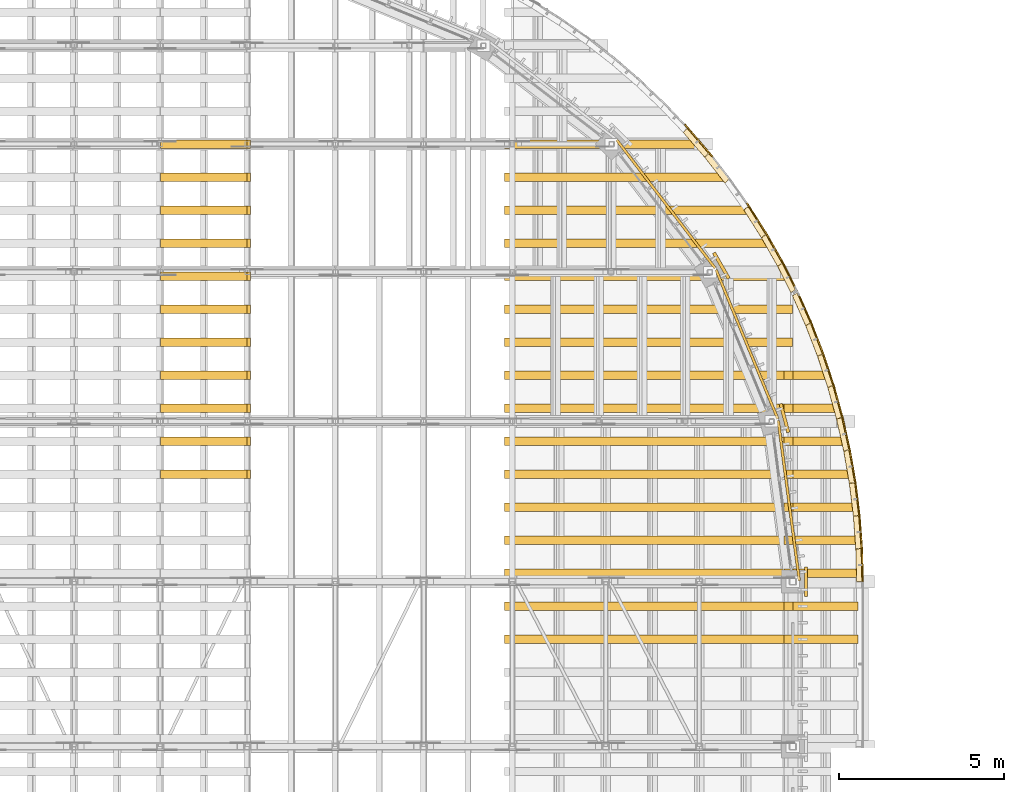
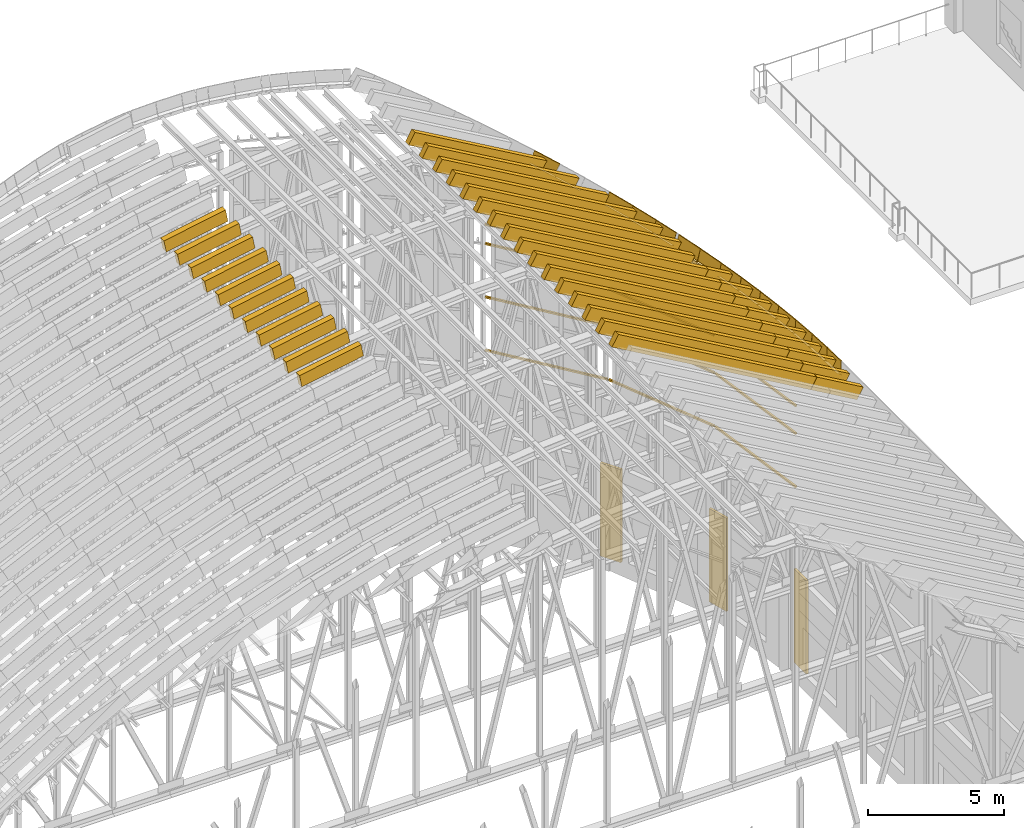
# One storey, part 91 of 105: 76 coverings.
"""IFC4 building model written with IfcOpenShell, lengths in metres."""

from ifc_helpers import new_model, si_unit, direction, frame, origin, origin_2d, place, context, subcontext, project, spatial, polyline, rectangle, outline, extrude, material, layer, layer_set, material_profile, profile_set, type_object, element, save


model = new_model("IFC4")

# Units and contexts
model_context = context("Model", 3, precision=1e-05, world=origin(), true_north=direction((0.0, 1.0)))
body_context = subcontext(model_context, "Body", "Model", "MODEL_VIEW")
ifc_project = project(units=[si_unit("LENGTHUNIT", "METRE"), si_unit("AREAUNIT", "SQUARE_METRE"), si_unit("VOLUMEUNIT", "CUBIC_METRE"), si_unit("PLANEANGLEUNIT", "RADIAN"), si_unit("MASSUNIT", "GRAM", prefix="KILO")], contexts=[model_context])

# Site, building, storey
site_placement = place(None, origin())
site = spatial("IfcSite", under=ifc_project, at=site_placement, CompositionType="ELEMENT")
building_placement = place(site_placement, origin())
building = spatial("IfcBuilding", under=site, at=building_placement, Name="Wasatch Bagh Community Centre", CompositionType="ELEMENT")
storey_placement = place(building_placement, frame((0.0, 0.0, 16.800048828125)))
storey = spatial("IfcBuildingStorey", under=building, at=storey_placement, Name="L04", CompositionType="ELEMENT", Elevation=16.800048828125)

# Coverings
ifc_material_1 = material(Name="White precast concrete C40/50", Category="concrete")
ifc_layer = layer(ifc_material_1, 0.10009765625)
ifc_layer_set = layer_set([ifc_layer], Name="White precast concrete C40/50")
covering_type_1 = type_object("IfcCoveringType", Name="MH column casing", PredefinedType="CLADDING", material=ifc_layer_set)
for number, where, z_axis, x_axis, name in (
    (1, (55.14990234375, 65.0, 0.0), (0.0, 0.0, 1.0), (0.0, 1.0, 0.0), "Column casing E7 L04"),
    (2, (54.49755859375, 69.956298828125, 0.0), (0.0, 0.0, 1.0), (-0.258819045103, 0.965925826289, 0.0), "Column casing N1 L04"),
    (3, (52.58447265625, 74.574951171875, 0.0), (0.0, 0.0, 1.0), (-0.5, 0.866025403784, 0.0), "Column casing N2 L04"),
):
    element("IfcCovering", number, at=place(storey_placement, frame(where, z_axis=z_axis, x_axis=x_axis)), inside=storey, type_object=covering_type_1, Name=name, PredefinedType="CLADDING", context=body_context, shape_type="SweptSolid", body=[
        extrude(rectangle(XDim=0.89990234375, YDim=0.10009765625, at=origin_2d()), origin(), (0.0, 0.0, 1.0), 4.199951171875),
    ])
ifc_material_2 = material(Name="ASTM A653 Grade 50 steel, zinc-aluminium coated", Category="steel")
ifc_material_profile_1 = material_profile(ifc_material_2, outline(polyline([(-0.080078125, 0.0029296875), (0.152099609375, 0.0029296875), (0.152099609375, -0.031982421875), (0.14892578125, -0.031982421875), (0.14892578125, 0.0), (-0.080078125, 0.0), (-0.080078125, 0.0029296875)])), Name="DRIP EDGE")
ifc_profile_set_1 = profile_set([ifc_material_profile_1], Name="ASTM A653 Grade 50 steel, zinc-aluminium coated")
covering_type_2 = type_object("IfcCoveringType", Name="MH drip edge", PredefinedType="CLADDING", material=ifc_profile_set_1)
covering_1_placement = place(storey_placement, frame((51.480712890625, 78.663330078125, 15.699462890625), z_axis=(0.611351247822, -0.708365524238, -0.352800135852), x_axis=(0.613418152738, 0.705845774567, -0.354259668065)))
element("IfcCovering", 4, at=covering_1_placement, inside=storey, type_object=covering_type_2, Name="Drip edge 145", PredefinedType="CLADDING", context=body_context, shape_type="SweptSolid", body=[
    extrude(outline(polyline([(-0.080078125, 0.0029296875), (0.152099609375, 0.0029296875), (0.152099609375, -0.031982421875), (0.14892578125, -0.031982421875), (0.14892578125, 0.0), (-0.080078125, 0.0), (-0.080078125, 0.0029296875)])), origin(), (0.0, 0.0, 1.0), 1.0595703125),
])
covering_2_placement = place(storey_placement, frame((52.133056640625, 77.906982421875, 15.322998046875), z_axis=(0.579743599682, -0.742898023451, -0.334663839368), x_axis=(0.643371320718, 0.669404605522, -0.3714442324)))
element("IfcCovering", 5, at=covering_2_placement, inside=storey, type_object=covering_type_2, Name="Drip edge 146", PredefinedType="CLADDING", context=body_context, shape_type="SweptSolid", body=[
    extrude(outline(polyline([(-0.080078125, 0.0029296875), (0.152099609375, 0.0029296875), (0.152099609375, -0.031982421875), (0.14892578125, -0.031982421875), (0.14892578125, 0.0), (-0.080078125, 0.0), (-0.080078125, 0.0029296875)])), origin(), (0.0, 0.0, 1.0), 1.052001953125),
])
covering_3_placement = place(storey_placement, frame((53.322509765625, 76.302734375, 14.63623046875), z_axis=(0.511164958761, -0.807226431192, -0.2951201005), x_axis=(0.699079319041, 0.590241890062, -0.403611963283)))
element("IfcCovering", 6, at=covering_3_placement, inside=storey, type_object=covering_type_2, Name="Drip edge 148", PredefinedType="CLADDING", context=body_context, shape_type="SweptSolid", body=[
    extrude(outline(polyline([(-0.080078125, 0.0029296875), (0.152099609375, 0.0029296875), (0.152099609375, -0.031982421875), (0.14892578125, -0.031982421875), (0.14892578125, 0.0), (-0.080078125, 0.0), (-0.080078125, 0.0029296875)])), origin(), (0.0, 0.0, 1.0), 1.037353515625),
])
covering_4_placement = place(storey_placement, frame((53.856689453125, 75.458740234375, 14.327880859375), z_axis=(0.474014729858, -0.836928556016, -0.273606703141), x_axis=(0.724813701103, 0.547312151294, -0.418442956374)))
element("IfcCovering", 7, at=covering_4_placement, inside=storey, type_object=covering_type_2, Name="Drip edge 149", PredefinedType="CLADDING", context=body_context, shape_type="SweptSolid", body=[
    extrude(outline(polyline([(-0.080078125, 0.0029296875), (0.152099609375, 0.0029296875), (0.152099609375, -0.031982421875), (0.14892578125, -0.031982421875), (0.14892578125, 0.0), (-0.080078125, 0.0), (-0.080078125, 0.0029296875)])), origin(), (0.0, 0.0, 1.0), 1.030517578125),
])
covering_5_placement = place(storey_placement, frame((54.348876953125, 74.58935546875, 14.043701171875), z_axis=(0.435192259549, -0.864532300448, -0.251379391976), x_axis=(0.748704241973, 0.50257725153, -0.432270822861)))
element("IfcCovering", 8, at=covering_5_placement, inside=storey, type_object=covering_type_2, Name="Drip edge 150", PredefinedType="CLADDING", context=body_context, shape_type="SweptSolid", body=[
    extrude(outline(polyline([(-0.080078125, 0.0029296875), (0.152099609375, 0.0029296875), (0.152099609375, -0.031982421875), (0.14892578125, -0.031982421875), (0.14892578125, 0.0), (-0.080078125, 0.0), (-0.080078125, 0.0029296875)])), origin(), (0.0, 0.0, 1.0), 0.917724609375),
])
covering_6_placement = place(storey_placement, frame((54.7978515625, 73.697265625, 13.784423828125), z_axis=(0.394606440293, -0.890203343422, -0.227648335464), x_axis=(0.770938033808, 0.455563374735, -0.445102864098)))
element("IfcCovering", 9, at=covering_6_placement, inside=storey, type_object=covering_type_2, Name="Drip edge 152", PredefinedType="CLADDING", context=body_context, shape_type="SweptSolid", body=[
    extrude(outline(polyline([(-0.080078125, 0.0029296875), (0.152099609375, 0.0029296875), (0.152099609375, -0.031982421875), (0.14892578125, -0.031982421875), (0.14892578125, 0.0), (-0.080078125, 0.0), (-0.080078125, 0.0029296875)])), origin(), (0.0, 0.0, 1.0), 1.017822265625),
])
covering_7_placement = place(storey_placement, frame((55.202392578125, 72.783935546875, 13.551025390625), z_axis=(0.352399016954, -0.913439477895, -0.203576160376), x_axis=(0.791057287422, 0.40697458411, -0.456727551068)))
element("IfcCovering", 10, at=covering_7_placement, inside=storey, type_object=covering_type_2, Name="Drip edge 153", PredefinedType="CLADDING", context=body_context, shape_type="SweptSolid", body=[
    extrude(outline(polyline([(-0.080078125, 0.0029296875), (0.152099609375, 0.0029296875), (0.152099609375, -0.031982421875), (0.14892578125, -0.031982421875), (0.14892578125, 0.0), (-0.080078125, 0.0), (-0.080078125, 0.0029296875)])), origin(), (0.0, 0.0, 1.0), 1.01220703125),
])
covering_8_placement = place(storey_placement, frame((55.561767578125, 71.85205078125, 13.343505859375), z_axis=(0.308620162801, -0.934345724615, -0.178189960455), x_axis=(0.809171085906, 0.356367881279, -0.467166016451)))
element("IfcCovering", 11, at=covering_8_placement, inside=storey, type_object=covering_type_2, Name="Drip edge 154", PredefinedType="CLADDING", context=body_context, shape_type="SweptSolid", body=[
    extrude(outline(polyline([(-0.080078125, 0.0029296875), (0.152099609375, 0.0029296875), (0.152099609375, -0.031982421875), (0.14892578125, -0.031982421875), (0.14892578125, 0.0), (-0.080078125, 0.0), (-0.080078125, 0.0029296875)])), origin(), (0.0, 0.0, 1.0), 1.007080078125),
])
covering_9_placement = place(storey_placement, frame((55.874755859375, 70.903564453125, 13.16259765625), z_axis=(0.263697621566, -0.952525480672, -0.152180067848), x_axis=(0.824903968921, 0.304458872788, -0.476275379207)))
element("IfcCovering", 12, at=covering_9_placement, inside=storey, type_object=covering_type_2, Name="Drip edge 155", PredefinedType="CLADDING", context=body_context, shape_type="SweptSolid", body=[
    extrude(outline(polyline([(-0.080078125, 0.0029296875), (0.152099609375, 0.0029296875), (0.152099609375, -0.031982421875), (0.14892578125, -0.031982421875), (0.14892578125, 0.0), (-0.080078125, 0.0), (-0.080078125, 0.0029296875)])), origin(), (0.0, 0.0, 1.0), 1.002685546875),
])
covering_10_placement = place(storey_placement, frame((56.14111328125, 69.940673828125, 13.009033203125), z_axis=(0.21730734679, -0.967983232047, -0.125642267998), x_axis=(0.838301819857, 0.251014818657, -0.483985144028)))
element("IfcCovering", 13, at=covering_10_placement, inside=storey, type_object=covering_type_2, Name="Drip edge 156", PredefinedType="CLADDING", context=body_context, shape_type="SweptSolid", body=[
    extrude(outline(polyline([(-0.080078125, 0.0029296875), (0.152099609375, 0.0029296875), (0.152099609375, -0.031982421875), (0.14892578125, -0.031982421875), (0.14892578125, 0.0), (-0.080078125, 0.0), (-0.080078125, 0.0029296875)])), origin(), (0.0, 0.0, 1.0), 0.998779296875),
])
covering_11_placement = place(storey_placement, frame((56.359619140625, 68.966064453125, 12.8828125), z_axis=(0.17020010461, -0.980489939813, -0.09834328811), x_axis=(0.849125844548, 0.196569259266, -0.490250779124)))
element("IfcCovering", 14, at=covering_11_placement, inside=storey, type_object=covering_type_2, Name="Drip edge 157", PredefinedType="CLADDING", context=body_context, shape_type="SweptSolid", body=[
    extrude(outline(polyline([(-0.080078125, 0.0029296875), (0.152099609375, 0.0029296875), (0.152099609375, -0.031982421875), (0.14892578125, -0.031982421875), (0.14892578125, 0.0), (-0.080078125, 0.0), (-0.080078125, 0.0029296875)])), origin(), (0.0, 0.0, 1.0), 0.99560546875),
])
covering_12_placement = place(storey_placement, frame((56.5302734375, 67.98193359375, 12.7841796875), z_axis=(0.122154734654, -0.990018654301, -0.070294273865), x_axis=(0.857379658969, 0.140936242514, -0.495012217963)))
element("IfcCovering", 15, at=covering_12_placement, inside=storey, type_object=covering_type_2, Name="Drip edge 158", PredefinedType="CLADDING", context=body_context, shape_type="SweptSolid", body=[
    extrude(outline(polyline([(-0.080078125, 0.0029296875), (0.152099609375, 0.0029296875), (0.152099609375, -0.031982421875), (0.14892578125, -0.031982421875), (0.14892578125, 0.0), (-0.080078125, 0.0), (-0.080078125, 0.0029296875)])), origin(), (0.0, 0.0, 1.0), 0.993408203125),
])
covering_13_placement = place(storey_placement, frame((56.65234375, 66.99072265625, 12.7138671875), z_axis=(0.073351333397, -0.996396636215, -0.042583156637), x_axis=(0.862907939356, 0.084815696918, -0.498192920216)))
element("IfcCovering", 16, at=covering_13_placement, inside=storey, type_object=covering_type_2, Name="Drip edge 159", PredefinedType="CLADDING", context=body_context, shape_type="SweptSolid", body=[
    extrude(outline(polyline([(-0.080078125, 0.0029296875), (0.152099609375, 0.0029296875), (0.152099609375, -0.031982421875), (0.14892578125, -0.031982421875), (0.14892578125, 0.0), (-0.080078125, 0.0), (-0.080078125, 0.0029296875)])), origin(), (0.0, 0.0, 1.0), 0.991943359375),
])
covering_14_placement = place(storey_placement, frame((56.7255859375, 65.99462890625, 12.67138671875), z_axis=(0.024632773831, -0.999597962047, -0.014040681083), x_axis=(0.865676575734, 0.028352948585, -0.499800136587)))
element("IfcCovering", 17, at=covering_14_placement, inside=storey, type_object=covering_type_2, Name="Drip edge 160", PredefinedType="CLADDING", context=body_context, shape_type="SweptSolid", body=[
    extrude(outline(polyline([(-0.080078125, 0.0029296875), (0.152099609375, 0.0029296875), (0.152099609375, -0.031982421875), (0.14892578125, -0.031982421875), (0.14892578125, 0.0), (-0.080078125, 0.0), (-0.080078125, 0.0029296875)])), origin(), (0.0, 0.0, 1.0), 0.9912109375),
])
ifc_material_profile_2 = material_profile(ifc_material_2, rectangle(XDim=0.0400390625, YDim=0.85009765625, at=origin_2d()), Name="FASCIA 40x850")
ifc_profile_set_2 = profile_set([ifc_material_profile_2], Name="ASTM A653 Grade 50 steel, zinc-aluminium coated")
covering_type_3 = type_object("IfcCoveringType", Name="MH eave fascia 40x850", PredefinedType="CLADDING", material=ifc_profile_set_2)
covering_15_placement = place(storey_placement, frame((51.57177734375, 78.74169921875, 15.851806640625), z_axis=(0.611206905787, -0.708465319905, -0.352849838899), x_axis=(0.757166284111, 0.653222181348, 0.0)))
element("IfcCovering", 18, at=covering_15_placement, inside=storey, type_object=covering_type_3, Name="Eave fascia 145", PredefinedType="CLADDING", context=body_context, shape_type="SweptSolid", body=[
    extrude(rectangle(XDim=0.0400390625, YDim=0.85009765625, at=origin_2d()), origin(), (0.0, 0.0, 1.0), 1.059326171875),
])
covering_16_placement = place(storey_placement, frame((53.423828125, 76.366943359375, 14.7802734375), z_axis=(0.511164958761, -0.807226431192, -0.2951201005), x_axis=(0.844856186618, 0.534993480272, 0.0)))
element("IfcCovering", 19, at=covering_16_placement, inside=storey, type_object=covering_type_3, Name="Eave fascia 148", PredefinedType="CLADDING", context=body_context, shape_type="SweptSolid", body=[
    extrude(rectangle(XDim=0.0400390625, YDim=0.85009765625, at=origin_2d()), origin(), (0.0, 0.0, 1.0), 1.037353515625),
])
covering_17_placement = place(storey_placement, frame((53.961181640625, 75.517822265625, 14.468994140625), z_axis=(0.474108722242, -0.836857574691, -0.273660956616), x_axis=(0.870071490855, 0.492925553001, 0.0)))
element("IfcCovering", 20, at=covering_17_placement, inside=storey, type_object=covering_type_3, Name="Eave fascia 149", PredefinedType="CLADDING", context=body_context, shape_type="SweptSolid", body=[
    extrude(rectangle(XDim=0.0400390625, YDim=0.85009765625, at=origin_2d()), origin(), (0.0, 0.0, 1.0), 1.030517578125),
])
covering_18_placement = place(storey_placement, frame((54.4560546875, 74.643310546875, 14.182373046875), z_axis=(0.435192259549, -0.864532300448, -0.251379391976), x_axis=(0.893214645875, 0.44963051097, 0.0)))
element("IfcCovering", 21, at=covering_18_placement, inside=storey, type_object=covering_type_3, Name="Eave fascia 150", PredefinedType="CLADDING", context=body_context, shape_type="SweptSolid", body=[
    extrude(rectangle(XDim=0.0400390625, YDim=0.85009765625, at=origin_2d()), origin(), (0.0, 0.0, 1.0), 0.917724609375),
])
covering_19_placement = place(storey_placement, frame((54.907470703125, 73.745849609375, 13.920654296875), z_axis=(0.394584881717, -0.890154708846, -0.227875767557), x_axis=(0.914207306635, 0.405246838969, 0.0)))
element("IfcCovering", 22, at=covering_19_placement, inside=storey, type_object=covering_type_3, Name="Eave fascia 152", PredefinedType="CLADDING", context=body_context, shape_type="SweptSolid", body=[
    extrude(rectangle(XDim=0.0400390625, YDim=0.85009765625, at=origin_2d()), origin(), (0.0, 0.0, 1.0), 1.017822265625),
])
covering_20_placement = place(storey_placement, frame((55.314208984375, 72.8271484375, 13.684814453125), z_axis=(0.352416311959, -0.913484307589, -0.203344935648), x_axis=(0.932976840398, 0.359936404495, 0.0)))
element("IfcCovering", 23, at=covering_20_placement, inside=storey, type_object=covering_type_3, Name="Eave fascia 153", PredefinedType="CLADDING", context=body_context, shape_type="SweptSolid", body=[
    extrude(rectangle(XDim=0.0400390625, YDim=0.85009765625, at=origin_2d()), origin(), (0.0, 0.0, 1.0), 1.01220703125),
])
covering_21_placement = place(storey_placement, frame((55.675537109375, 71.8896484375, 13.475341796875), z_axis=(0.308620162801, -0.934345724615, -0.178189960455), x_axis=(0.949542094991, 0.31363961778, 0.0)))
element("IfcCovering", 24, at=covering_21_placement, inside=storey, type_object=covering_type_3, Name="Eave fascia 154", PredefinedType="CLADDING", context=body_context, shape_type="SweptSolid", body=[
    extrude(rectangle(XDim=0.0400390625, YDim=0.85009765625, at=origin_2d()), origin(), (0.0, 0.0, 1.0), 1.007080078125),
])
covering_22_placement = place(storey_placement, frame((55.990478515625, 70.935546875, 13.292724609375), z_axis=(0.263471042938, -0.952586617349, -0.152189835338), x_axis=(0.963813813946, 0.266576315616, 0.0)))
element("IfcCovering", 25, at=covering_22_placement, inside=storey, type_object=covering_type_3, Name="Eave fascia 155", PredefinedType="CLADDING", context=body_context, shape_type="SweptSolid", body=[
    extrude(rectangle(XDim=0.0400390625, YDim=0.85009765625, at=origin_2d()), origin(), (0.0, 0.0, 1.0), 1.002685546875),
])
covering_23_placement = place(storey_placement, frame((56.258056640625, 69.967041015625, 13.137451171875), z_axis=(0.21730734679, -0.967983232047, -0.125642267998), x_axis=(0.975715177411, 0.219043129474, 0.0)))
element("IfcCovering", 26, at=covering_23_placement, inside=storey, type_object=covering_type_3, Name="Eave fascia 156", PredefinedType="CLADDING", context=body_context, shape_type="SweptSolid", body=[
    extrude(rectangle(XDim=0.0400390625, YDim=0.85009765625, at=origin_2d()), origin(), (0.0, 0.0, 1.0), 0.998779296875),
])
covering_24_placement = place(storey_placement, frame((56.477783203125, 68.986572265625, 13.009765625), z_axis=(0.170204204562, -0.980513558843, -0.098100406087), x_axis=(0.98526596737, 0.171029159919, 0.0)))
element("IfcCovering", 27, at=covering_24_placement, inside=storey, type_object=covering_type_3, Name="Eave fascia 157", PredefinedType="CLADDING", context=body_context, shape_type="SweptSolid", body=[
    extrude(rectangle(XDim=0.0400390625, YDim=0.85009765625, at=origin_2d()), origin(), (0.0, 0.0, 1.0), 0.995361328125),
])
covering_25_placement = place(storey_placement, frame((56.6494140625, 67.99658203125, 12.910400390625), z_axis=(0.121910497055, -0.990031213986, -0.070540952933), x_axis=(0.992503655573, 0.122214948651, 0.0)))
element("IfcCovering", 28, at=covering_25_placement, inside=storey, type_object=covering_type_3, Name="Eave fascia 158", PredefinedType="CLADDING", context=body_context, shape_type="SweptSolid", body=[
    extrude(rectangle(XDim=0.0400390625, YDim=0.85009765625, at=origin_2d()), origin(), (0.0, 0.0, 1.0), 0.993408203125),
])
covering_26_placement = place(storey_placement, frame((56.77197265625, 66.99951171875, 12.839111328125), z_axis=(0.073596916972, -0.996389029777, -0.042336688024), x_axis=(0.997283193411, 0.07366296315, 0.0)))
element("IfcCovering", 29, at=covering_26_placement, inside=storey, type_object=covering_type_3, Name="Eave fascia 159", PredefinedType="CLADDING", context=body_context, shape_type="SweptSolid", body=[
    extrude(rectangle(XDim=0.0400390625, YDim=0.85009765625, at=origin_2d()), origin(), (0.0, 0.0, 1.0), 0.991943359375),
])
covering_27_placement = place(storey_placement, frame((56.845458984375, 65.99755859375, 12.796630859375), z_axis=(0.024632687889, -0.99959447452, -0.014286958975), x_axis=(0.999696507351, 0.024635202251, 0.0)))
element("IfcCovering", 30, at=covering_27_placement, inside=storey, type_object=covering_type_3, Name="Eave fascia 160", PredefinedType="CLADDING", context=body_context, shape_type="SweptSolid", body=[
    extrude(rectangle(XDim=0.0400390625, YDim=0.85009765625, at=origin_2d()), origin(), (0.0, 0.0, 1.0), 0.9912109375),
])
ifc_material_3 = material(Name="Aluminium extrusion", Category="aluminium")
ifc_material_profile_3 = material_profile(ifc_material_3, rectangle(XDim=0.080078125, YDim=0.080078125, at=origin_2d()), Name="AL 80x80")
ifc_profile_set_3 = profile_set([ifc_material_profile_3], Name="Aluminium extrusion")
covering_type_4 = type_object("IfcCoveringType", Name="MH fin rail 80x80", PredefinedType="CLADDING", material=ifc_profile_set_3)
for number, where, z_axis, x_axis, name in (
    (31, (54.9482421875, 65.026123046875, 8.199951171875), (-0.130533218363, 0.991443936339, 0.0), (-0.991443936339, -0.130533218363, 0.0), "Fin rail 19.1"),
    (32, (54.9482421875, 65.026123046875, 10.599853515625), (-0.130533218363, 0.991443936339, 0.0), (-0.991443936339, -0.130533218363, 0.0), "Fin rail 19.2"),
    (33, (54.9482421875, 65.026123046875, 11.849853515625), (-0.130533218363, 0.991443936339, 0.0), (-0.991443936339, -0.130533218363, 0.0), "Fin rail 19.3"),
):
    element("IfcCovering", number, at=place(storey_placement, frame(where, z_axis=z_axis, x_axis=x_axis)), inside=storey, type_object=covering_type_4, Name=name, PredefinedType="CLADDING", context=body_context, shape_type="SweptSolid", body=[
        extrude(rectangle(XDim=0.080078125, YDim=0.080078125, at=origin_2d()), origin(), (0.0, 0.0, 1.0), 4.894775390625),
    ])
for number, where, z_axis, x_axis, name in (
    (34, (54.2958984375, 69.929443359375, 8.199951171875), (-0.382680724471, 0.923880654153, 0.0), (-0.923880654153, -0.382680724471, 0.0), "Fin rail 20.1"),
    (35, (54.2958984375, 69.929443359375, 10.599853515625), (-0.382680724471, 0.923880654153, 0.0), (-0.923880654153, -0.382680724471, 0.0), "Fin rail 20.2"),
    (36, (54.2958984375, 69.929443359375, 12.2900390625), (-0.382680724471, 0.923880654153, 0.0), (-0.923880654153, -0.382680724471, 0.0), "Fin rail 20.3"),
    (37, (52.396728515625, 74.496826171875, 8.199951171875), (-0.60878228298, 0.793337338041, 0.0), (-0.793337338041, -0.60878228298, 0.0), "Fin rail 21.1"),
    (38, (52.396728515625, 74.496826171875, 10.599853515625), (-0.60878228298, 0.793337338041, 0.0), (-0.793337338041, -0.60878228298, 0.0), "Fin rail 21.2"),
    (39, (52.396728515625, 74.496826171875, 13.0), (-0.60878228298, 0.793337338041, 0.0), (-0.793337338041, -0.60878228298, 0.0), "Fin rail 21.3"),
    (40, (52.396728515625, 74.496826171875, 13.869873046875), (-0.60878228298, 0.793337338041, 0.0), (-0.793337338041, -0.60878228298, 0.0), "Fin rail 21.4"),
):
    element("IfcCovering", number, at=place(storey_placement, frame(where, z_axis=z_axis, x_axis=x_axis)), inside=storey, type_object=covering_type_4, Name=name, PredefinedType="CLADDING", context=body_context, shape_type="SweptSolid", body=[
        extrude(rectangle(XDim=0.080078125, YDim=0.080078125, at=origin_2d()), origin(), (0.0, 0.0, 1.0), 4.89453125),
    ])
covering_type_5 = type_object("IfcCoveringType", Name="MH roll-over fin rib", PredefinedType="ROOFING", material=ifc_material_2)
for number, where, z_axis, x_axis, name in (
    (41, (35.59326171875, 68.125, 18.103515625), (-0.179779044662, 0.0, 0.983707016901), (0.983707016901, 0.0, 0.179779044662), "Seam rib 9.54"),
    (42, (35.59326171875, 69.125, 18.103515625), (-0.179779044662, 0.0, 0.983707016901), (0.983707016901, 0.0, 0.179779044662), "Seam rib 9.55"),
    (43, (35.59326171875, 70.125, 18.103515625), (-0.179779044662, 0.0, 0.983707016901), (0.983707016901, 0.0, 0.179779044662), "Seam rib 9.56"),
    (44, (35.59326171875, 71.125, 18.103515625), (-0.179779044662, 0.0, 0.983707016901), (0.983707016901, 0.0, 0.179779044662), "Seam rib 9.57"),
    (45, (35.59326171875, 72.125, 18.103515625), (-0.179779044662, 0.0, 0.983707016901), (0.983707016901, 0.0, 0.179779044662), "Seam rib 9.58"),
    (46, (35.59326171875, 73.125, 18.103515625), (-0.179779044662, 0.0, 0.983707016901), (0.983707016901, 0.0, 0.179779044662), "Seam rib 9.59"),
    (47, (35.59326171875, 74.125, 18.103515625), (-0.179779044662, 0.0, 0.983707016901), (0.983707016901, 0.0, 0.179779044662), "Seam rib 9.60"),
    (48, (35.59326171875, 75.125, 18.103515625), (-0.179779044662, 0.0, 0.983707016901), (0.983707016901, 0.0, 0.179779044662), "Seam rib 9.61"),
    (49, (35.59326171875, 76.125, 18.103515625), (-0.179779044662, 0.0, 0.983707016901), (0.983707016901, 0.0, 0.179779044662), "Seam rib 9.62"),
    (50, (35.59326171875, 77.125, 18.103515625), (-0.179779044662, 0.0, 0.983707016901), (0.983707016901, 0.0, 0.179779044662), "Seam rib 9.63"),
    (51, (35.59326171875, 78.125, 18.103515625), (-0.179779044662, 0.0, 0.983707016901), (0.983707016901, 0.0, 0.179779044662), "Seam rib 9.64"),
):
    element("IfcCovering", number, at=place(storey_placement, frame(where, z_axis=z_axis, x_axis=x_axis)), inside=storey, type_object=covering_type_5, Name=name, PredefinedType="ROOFING", context=body_context, shape_type="SweptSolid", body=[
        extrude(outline(polyline([(0.0, 0.0), (2.6684774581252992, 0.0), (2.6684774581252992, 0.25), (0.0, 0.25), (0.0, 0.0)])), origin(), (0.0, 0.0, -1.0), 0.550048828125),
    ])
for number, where, z_axis, x_axis, name in (
    (52, (46.28857421875, 63.125, 19.247314453125), (0.499992249874, 0.0, 0.866029878276), (0.866029878276, 0.0, -0.499992249874), "Seam rib 13.46"),
    (53, (46.28857421875, 64.125, 19.247314453125), (0.499992249874, 0.0, 0.866029878276), (0.866029878276, 0.0, -0.499992249874), "Seam rib 13.47"),
    (54, (46.28857421875, 65.125, 19.247314453125), (0.499992249874, 0.0, 0.866029878276), (0.866029878276, 0.0, -0.499992249874), "Seam rib 13.48"),
    (55, (46.28857421875, 66.125, 19.247314453125), (0.499992249874, 0.0, 0.866029878276), (0.866029878276, 0.0, -0.499992249874), "Seam rib 13.49"),
    (56, (46.28857421875, 67.125, 19.247314453125), (0.499992249874, 0.0, 0.866029878276), (0.866029878276, 0.0, -0.499992249874), "Seam rib 13.50"),
    (57, (46.28857421875, 68.125, 19.247314453125), (0.499992249874, 0.0, 0.866029878276), (0.866029878276, 0.0, -0.499992249874), "Seam rib 13.51"),
    (58, (46.28857421875, 69.125, 19.247314453125), (0.499992249874, 0.0, 0.866029878276), (0.866029878276, 0.0, -0.499992249874), "Seam rib 13.52"),
    (59, (46.28857421875, 70.125, 19.247314453125), (0.499992249874, 0.0, 0.866029878276), (0.866029878276, 0.0, -0.499992249874), "Seam rib 13.53"),
    (60, (46.28857421875, 71.125, 19.247314453125), (0.499992249874, 0.0, 0.866029878276), (0.866029878276, 0.0, -0.499992249874), "Seam rib 13.54"),
    (61, (46.28857421875, 72.125, 19.247314453125), (0.499992249874, 0.0, 0.866029878276), (0.866029878276, 0.0, -0.499992249874), "Seam rib 13.55"),
    (62, (46.28857421875, 73.125, 19.247314453125), (0.499992249874, 0.0, 0.866029878276), (0.866029878276, 0.0, -0.499992249874), "Seam rib 13.56"),
):
    element("IfcCovering", number, at=place(storey_placement, frame(where, z_axis=z_axis, x_axis=x_axis)), inside=storey, type_object=covering_type_5, Name=name, PredefinedType="ROOFING", context=body_context, shape_type="SweptSolid", body=[
        extrude(outline(polyline([(0.0, 0.0), (9.765288083177396, 0.0), (9.765288083177396, 0.24999999999999997), (0.0, 0.24999999999999997), (0.0, 0.0)])), origin(), (0.0, 0.0, -1.0), 0.550048828125),
    ])
covering_28_placement = place(storey_placement, frame((46.28857421875, 74.125, 19.247314453125), z_axis=(0.500006788699, 0.0, 0.866021484292), x_axis=(0.866021484292, 0.0, -0.500006788699)))
element("IfcCovering", 63, at=covering_28_placement, inside=storey, type_object=covering_type_5, Name="Seam rib 13.57", PredefinedType="ROOFING", context=body_context, shape_type="SweptSolid", body=[
    extrude(outline(polyline([(0.0, 0.0), (9.53844471148605, 0.0), (9.53844471148605, 0.25), (0.0, 0.25), (0.0, 0.0)])), origin(), (0.0, 0.0, -1.0), 0.550048828125),
])
covering_29_placement = place(storey_placement, frame((46.28857421875, 75.125, 19.247314453125), z_axis=(0.500005262428, 0.0, 0.866022365499), x_axis=(0.866022365499, 0.0, -0.500005262428)))
element("IfcCovering", 64, at=covering_29_placement, inside=storey, type_object=covering_type_5, Name="Seam rib 13.58", PredefinedType="ROOFING", context=body_context, shape_type="SweptSolid", body=[
    extrude(outline(polyline([(0.0, 0.0), (8.917386614546803, 0.0), (8.917386614546803, 0.25), (0.0, 0.25), (0.0, 0.0)])), origin(), (0.0, 0.0, -1.0), 0.550048828125),
])
covering_30_placement = place(storey_placement, frame((46.28857421875, 76.125, 19.247314453125), z_axis=(0.500002142155, 0.0, 0.866024167007), x_axis=(0.866024167007, 0.0, -0.500002142155)))
element("IfcCovering", 65, at=covering_30_placement, inside=storey, type_object=covering_type_5, Name="Seam rib 13.59", PredefinedType="ROOFING", context=body_context, shape_type="SweptSolid", body=[
    extrude(outline(polyline([(0.0, 0.0), (8.210902321955189, 0.0), (8.210902321955189, 0.25000000000000006), (0.0, 0.25000000000000006), (0.0, 0.0)])), origin(), (0.0, 0.0, -1.0), 0.550048828125),
])
covering_31_placement = place(storey_placement, frame((46.28857421875, 77.125, 19.247314453125), z_axis=(0.499987714637, 0.0, 0.866032496626), x_axis=(0.866032496626, 0.0, -0.499987714637)))
element("IfcCovering", 66, at=covering_31_placement, inside=storey, type_object=covering_type_5, Name="Seam rib 13.60", PredefinedType="ROOFING", context=body_context, shape_type="SweptSolid", body=[
    extrude(outline(polyline([(0.0, 0.0), (7.409361740898454, 0.0), (7.409361740898454, 0.25), (0.0, 0.25), (0.0, 0.0)])), origin(), (0.0, 0.0, -1.0), 0.550048828125),
])
covering_32_placement = place(storey_placement, frame((46.28857421875, 78.125, 19.247314453125), z_axis=(0.49999724339, 0.0, 0.866026995308), x_axis=(0.866026995308, 0.0, -0.49999724339)))
element("IfcCovering", 67, at=covering_32_placement, inside=storey, type_object=covering_type_5, Name="Seam rib 13.61", PredefinedType="ROOFING", context=body_context, shape_type="SweptSolid", body=[
    extrude(outline(polyline([(0.0, 0.0), (6.485875601807413, 0.0), (6.485875601807413, 0.25), (0.0, 0.25), (0.0, 0.0)])), origin(), (0.0, 0.0, -1.0), 0.550048828125),
])
for number, where, z_axis, x_axis, name in (
    (68, (54.75439453125, 63.125, 14.359375), (0.499980071345, 0.0, 0.866036909293), (0.866036909293, 0.0, -0.499980071345), "Seam rib 14.37"),
    (69, (54.75439453125, 64.125, 14.359375), (0.499980071345, 0.0, 0.866036909293), (0.866036909293, 0.0, -0.499980071345), "Seam rib 14.38"),
):
    element("IfcCovering", number, at=place(storey_placement, frame(where, z_axis=z_axis, x_axis=x_axis)), inside=storey, type_object=covering_type_5, Name=name, PredefinedType="ROOFING", context=body_context, shape_type="SweptSolid", body=[
        extrude(outline(polyline([(0.0, 0.0), (2.2696217110180323, 0.0), (2.2696217110180323, 0.25), (0.0, 0.25), (0.0, 0.0)])), origin(), (0.0, 0.0, -1.0), 0.550048828125),
    ])
covering_33_placement = place(storey_placement, frame((54.75439453125, 65.125, 14.359375), z_axis=(0.499893433747, 0.0, 0.866086921098), x_axis=(0.866086921098, 0.0, -0.499893433747)))
element("IfcCovering", 70, at=covering_33_placement, inside=storey, type_object=covering_type_5, Name="Seam rib 14.39", PredefinedType="ROOFING", context=body_context, shape_type="SweptSolid", body=[
    extrude(outline(polyline([(0.0, 0.0), (2.2661079812722513, 0.0), (2.2661079812722513, 0.25000000000000006), (0.0, 0.25000000000000006), (0.0, 0.0)])), origin(), (0.0, 0.0, -1.0), 0.550048828125),
])
covering_34_placement = place(storey_placement, frame((54.75439453125, 66.125, 14.359375), z_axis=(0.499918283808, 0.0, 0.86607257751), x_axis=(0.86607257751, 0.0, -0.499918283808)))
element("IfcCovering", 71, at=covering_34_placement, inside=storey, type_object=covering_type_5, Name="Seam rib 14.40", PredefinedType="ROOFING", context=body_context, shape_type="SweptSolid", body=[
    extrude(outline(polyline([(0.0, 0.0), (2.230344979347816, 0.0), (2.230344979347816, 0.25000000000000006), (0.0, 0.25000000000000006), (0.0, 0.0)])), origin(), (0.0, 0.0, -1.0), 0.550048828125),
])
covering_35_placement = place(storey_placement, frame((54.75439453125, 67.125, 14.359375), z_axis=(0.499910303742, 0.0, 0.86607718375), x_axis=(0.86607718375, 0.0, -0.499910303742)))
element("IfcCovering", 72, at=covering_35_placement, inside=storey, type_object=covering_type_5, Name="Seam rib 14.41", PredefinedType="ROOFING", context=body_context, shape_type="SweptSolid", body=[
    extrude(outline(polyline([(0.0, 0.0), (2.137590498988301, 0.0), (2.137590498988301, 0.25), (0.0, 0.25), (0.0, 0.0)])), origin(), (0.0, 0.0, -1.0), 0.550048828125),
])
covering_36_placement = place(storey_placement, frame((54.75439453125, 68.125, 14.359375), z_axis=(0.499984821847, 0.0, 0.866034166718), x_axis=(0.866034166718, 0.0, -0.499984821847)))
element("IfcCovering", 73, at=covering_36_placement, inside=storey, type_object=covering_type_5, Name="Seam rib 14.42", PredefinedType="ROOFING", context=body_context, shape_type="SweptSolid", body=[
    extrude(outline(polyline([(0.0, 0.0), (1.9868767204889206, 0.0), (1.9868767204889206, 0.25000000000000006), (0.0, 0.25000000000000006), (0.0, 0.0)])), origin(), (0.0, 0.0, -1.0), 0.550048828125),
])
covering_37_placement = place(storey_placement, frame((54.75439453125, 69.125, 14.359375), z_axis=(0.499936517747, 0.0, 0.866062052178), x_axis=(0.866062052178, 0.0, -0.499936517747)))
element("IfcCovering", 74, at=covering_37_placement, inside=storey, type_object=covering_type_5, Name="Seam rib 14.43", PredefinedType="ROOFING", context=body_context, shape_type="SweptSolid", body=[
    extrude(outline(polyline([(0.0, 0.0), (1.777081094973706, 0.0), (1.777081094973706, 0.25), (0.0, 0.25), (0.0, 0.0)])), origin(), (0.0, 0.0, -1.0), 0.550048828125),
])
covering_38_placement = place(storey_placement, frame((54.75439453125, 70.125, 14.359375), z_axis=(0.499956262684, 0.0, 0.866050654063), x_axis=(0.866050654063, 0.0, -0.499956262684)))
element("IfcCovering", 75, at=covering_38_placement, inside=storey, type_object=covering_type_5, Name="Seam rib 14.44", PredefinedType="ROOFING", context=body_context, shape_type="SweptSolid", body=[
    extrude(outline(polyline([(0.0, 0.0), (1.5064794349836699, 0.0), (1.5064794349836699, 0.25), (0.0, 0.25), (0.0, 0.0)])), origin(), (0.0, 0.0, -1.0), 0.550048828125),
])
covering_39_placement = place(storey_placement, frame((54.75439453125, 71.125, 14.359375), z_axis=(0.499944665268, 0.0, 0.86605734895), x_axis=(0.86605734895, 0.0, -0.499944665268)))
element("IfcCovering", 76, at=covering_39_placement, inside=storey, type_object=covering_type_5, Name="Seam rib 14.45", PredefinedType="ROOFING", context=body_context, shape_type="SweptSolid", body=[
    extrude(outline(polyline([(0.0, 0.0), (1.1729813757212213, 0.0), (1.1729813757212213, 0.25), (0.0, 0.25), (0.0, 0.0)])), origin(), (0.0, 0.0, -1.0), 0.550048828125),
])

save(model, "model.ifc")
